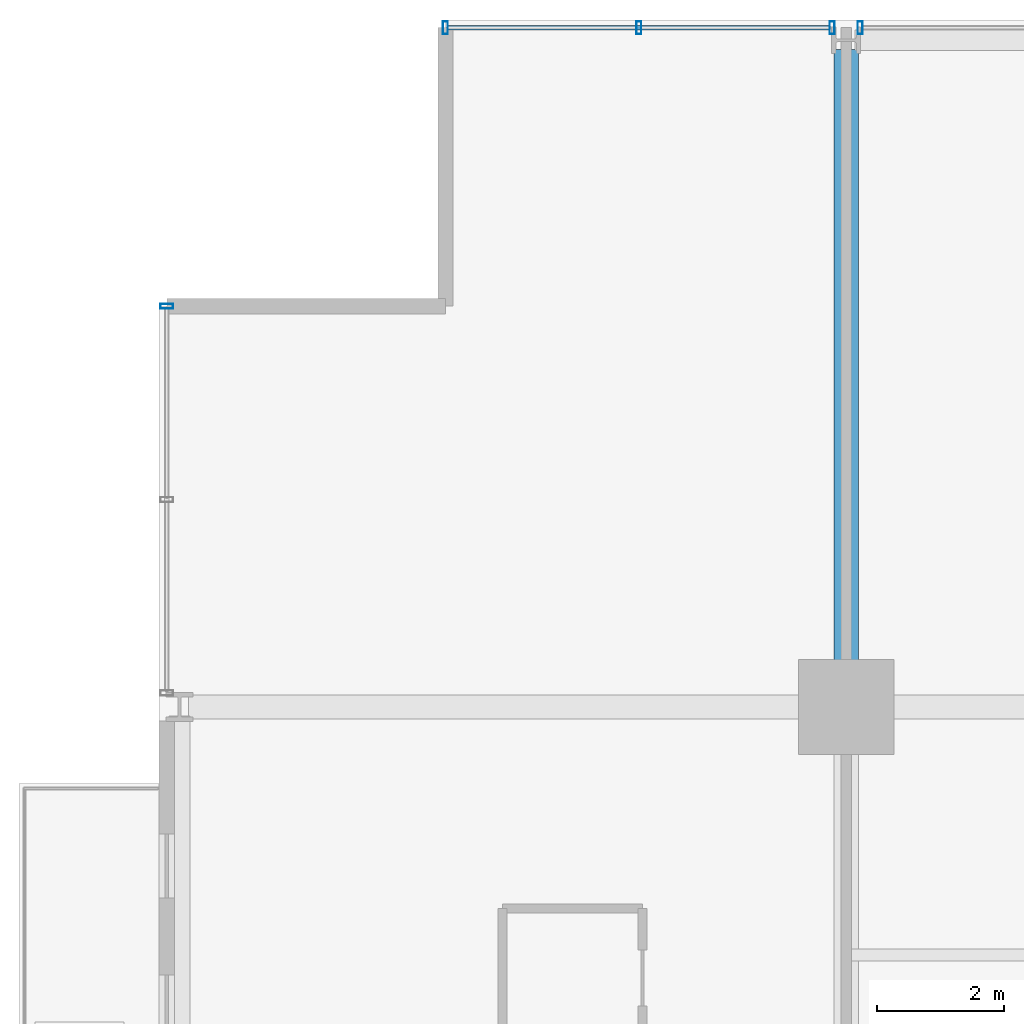
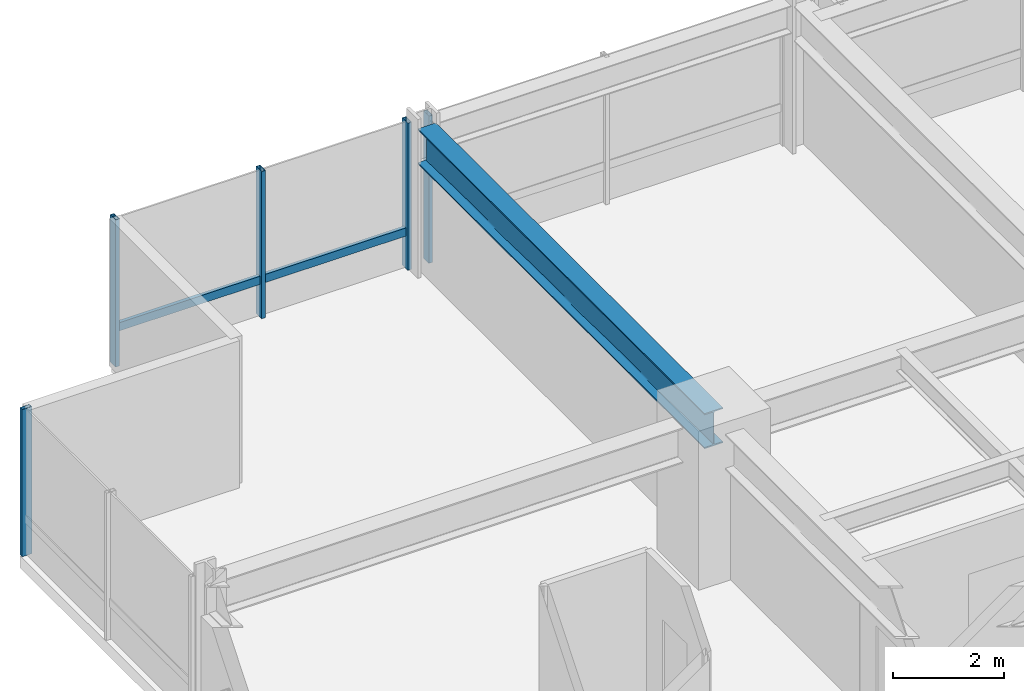
# One storey, part 20 of 34: 6 members, 1 beam, 3 elements without a shape of their own.
"""IFC4 building model written with IfcOpenShell, lengths in metres."""

from ifc_helpers import new_model, si_unit, direction, frame, origin, origin_2d, place, context, subcontext, project, spatial, hollow_rectangle, i_section, extrude, material, layer, layer_set, material_profile, profile_set, type_object, element, aggregate, save


model = new_model("IFC4")

# Units and contexts
model_context = context("Model", 3, precision=1e-05, world=origin(), true_north=direction((0.0, 1.0)))
body_context = subcontext(model_context, "Body", "Model", "MODEL_VIEW")
ifc_project = project(units=[si_unit("LENGTHUNIT", "METRE"), si_unit("AREAUNIT", "SQUARE_METRE"), si_unit("VOLUMEUNIT", "CUBIC_METRE"), si_unit("PLANEANGLEUNIT", "RADIAN"), si_unit("MASSUNIT", "GRAM", prefix="KILO")], contexts=[model_context])

# Site, building, storey
site_placement = place(None, origin())
site = spatial("IfcSite", under=ifc_project, at=site_placement, CompositionType="ELEMENT")
building_placement = place(site_placement, origin())
building = spatial("IfcBuilding", under=site, at=building_placement, Name="Drelvath Grand Hotel", CompositionType="ELEMENT")
storey_placement = place(building_placement, frame((0.0, 0.0, 102.300048828125)))
storey = spatial("IfcBuildingStorey", under=building, at=storey_placement, Name="L25", CompositionType="ELEMENT", Elevation=102.300048828125)

# Curtain wall, member
ifc_material_1 = material(Name="Champagne Bronze Anodised Aluminium Frame", Category="aluminium")
ifc_layer = layer(ifc_material_1, 0.199951171875)
ifc_layer_set = layer_set([ifc_layer], Name="Champagne Bronze Anodised Aluminium Frame")
curtain_wall_type = type_object("IfcCurtainWallType", Name="Stick Curtain Wall CW-03 Champagne Bronze Mid-Rise", PredefinedType="NOTDEFINED", material=ifc_layer_set)
curtain_wall_1_placement = place(storey_placement, origin())
curtain_wall_1 = element("IfcCurtainWall", 1, at=curtain_wall_1_placement, inside=storey, type_object=curtain_wall_type, Name="L25 CW-03 Curtain Wall CW03-L25-NW1", PredefinedType="NOTDEFINED")
ifc_material_profile_1 = material_profile(ifc_material_1, hollow_rectangle(XDim=0.074951171875, YDim=0.179931640625, WallThickness=0.0048828125, at=origin_2d()), Name="HSS180X75X5")
ifc_profile_set_1 = profile_set([ifc_material_profile_1], Name="Champagne Bronze Anodised Aluminium Frame")
member_type_1 = type_object("IfcMemberType", Name="Curtain Wall Horizontal Transom CW-03 HSS180X75X5", PredefinedType="USERDEFINED", material=ifc_profile_set_1)
member_1_placement = place(storey_placement, frame((-22.4599609375, 53.8798828125, 0.81005859375), z_axis=(1.0, 0.0, 0.0), x_axis=(0.0, 1.0, 0.0)))
member_1 = element("IfcMember", 2, at=member_1_placement, type_object=member_type_1, Name="CW03-L25-NW1 Sill Transom", ObjectType="TRANSOM", PredefinedType="USERDEFINED", context=body_context, shape_type="SweptSolid", body=[
    extrude(hollow_rectangle(XDim=0.074951171875, YDim=0.179931640625, WallThickness=0.0048828125, at=origin_2d()), origin(), (0.0, 0.0, 1.0), 6.000244140625),
])

curtain_wall_2_placement = place(storey_placement, origin())
curtain_wall_2 = element("IfcCurtainWall", 3, at=curtain_wall_2_placement, inside=storey, type_object=curtain_wall_type, Name="L25 CW-03 Curtain Wall CW03-L25-WN3", PredefinedType="NOTDEFINED")
ifc_material_profile_2 = material_profile(ifc_material_1, hollow_rectangle(XDim=0.080078125, YDim=0.199951171875, WallThickness=0.0048828125, at=origin_2d()), Name="HSS200X80X5")
ifc_profile_set_2 = profile_set([ifc_material_profile_2], Name="Champagne Bronze Anodised Aluminium Frame")
member_type_2 = type_object("IfcMemberType", Name="Curtain Wall Vertical Mullion CW-03 HSS200X80X5", PredefinedType="MULLION", material=ifc_profile_set_2)
member_2_placement = place(storey_placement, frame((-26.8798828125, 49.5, 0.0), z_axis=(0.0, 0.0, 1.0), x_axis=(0.0, 1.0, 0.0)))
member_2 = element("IfcMember", 4, at=member_2_placement, type_object=member_type_2, Name="CW03-L25-WN3 Mullion 3", PredefinedType="MULLION", context=body_context, shape_type="SweptSolid", body=[
    extrude(hollow_rectangle(XDim=0.080078125, YDim=0.199951171875, WallThickness=0.0048828125, at=origin_2d()), origin(), (0.0, 0.0, 1.0), 3.239990234375),
])
aggregate(curtain_wall_2, [member_2])

# Member
member_3_placement = place(storey_placement, frame((-22.5, 53.8798828125, 0.0), z_axis=(0.0, 0.0, 1.0), x_axis=(1.0, 0.0, 0.0)))
member_3 = element("IfcMember", 5, at=member_3_placement, type_object=member_type_2, Name="CW03-L25-NW1 Mullion 1", PredefinedType="MULLION", context=body_context, shape_type="SweptSolid", body=[
    extrude(hollow_rectangle(XDim=0.080078125, YDim=0.199951171875, WallThickness=0.0048828125, at=origin_2d()), origin(), (0.0, 0.0, 1.0), 3.239990234375),
])

member_4_placement = place(storey_placement, frame((-19.459716796875, 53.8798828125, 0.0), z_axis=(0.0, 0.0, 1.0), x_axis=(1.0, 0.0, 0.0)))
member_4 = element("IfcMember", 6, at=member_4_placement, type_object=member_type_2, Name="CW03-L25-NW1 Mullion 2", PredefinedType="MULLION", context=body_context, shape_type="SweptSolid", body=[
    extrude(hollow_rectangle(XDim=0.080078125, YDim=0.199951171875, WallThickness=0.0048828125, at=origin_2d()), origin(), (0.0, 0.0, 1.0), 3.239990234375),
])

member_5_placement = place(storey_placement, frame((-16.419677734375, 53.8798828125, 0.0), z_axis=(0.0, 0.0, 1.0), x_axis=(1.0, 0.0, 0.0)))
member_5 = element("IfcMember", 7, at=member_5_placement, type_object=member_type_2, Name="CW03-L25-NW1 Mullion 3", PredefinedType="MULLION", context=body_context, shape_type="SweptSolid", body=[
    extrude(hollow_rectangle(XDim=0.080078125, YDim=0.199951171875, WallThickness=0.0048828125, at=origin_2d()), origin(), (0.0, 0.0, 1.0), 3.239990234375),
])

aggregate(curtain_wall_1, [member_3, member_4, member_5, member_1])

# Curtain wall, member
curtain_wall_3_placement = place(storey_placement, origin())
curtain_wall_3 = element("IfcCurtainWall", 8, at=curtain_wall_3_placement, inside=storey, type_object=curtain_wall_type, Name="L25 CW-03 Curtain Wall CW03-L25-NW2", PredefinedType="NOTDEFINED")
member_6_placement = place(storey_placement, frame((-15.98046875, 53.8798828125, 0.0), z_axis=(0.0, 0.0, 1.0), x_axis=(1.0, 0.0, 0.0)))
member_6 = element("IfcMember", 9, at=member_6_placement, type_object=member_type_2, Name="CW03-L25-NW2 Mullion 1", PredefinedType="MULLION", context=body_context, shape_type="SweptSolid", body=[
    extrude(hollow_rectangle(XDim=0.080078125, YDim=0.199951171875, WallThickness=0.0048828125, at=origin_2d()), origin(), (0.0, 0.0, 1.0), 3.239990234375),
])
aggregate(curtain_wall_3, [member_6])

# Beam
ifc_material_2 = material(Name="Steel ASTM A992 Gr 50", Category="steel")
ifc_material_profile_3 = material_profile(ifc_material_2, i_section(OverallWidth=0.380615234375, OverallDepth=0.773193359375, WebThickness=0.0166015625, FlangeThickness=0.027099609375, FilletRadius=0.02490234375, at=origin_2d()), Name="W30X173")
ifc_profile_set_3 = profile_set([ifc_material_profile_3], Name="Steel ASTM A992 Gr 50")
beam_type = type_object("IfcBeamType", Name="Primary Floor Girder W30X173", PredefinedType="BEAM", material=ifc_profile_set_3)
beam_placement = place(storey_placement, frame((-16.199951171875, 43.199951171875, 2.853271484375), z_axis=(0.0, 1.0, 0.0), x_axis=(-1.0, 0.0, 0.0)))
element("IfcBeam", 10, at=beam_placement, inside=storey, type_object=beam_type, Name="L25 North Grid Girder 3", PredefinedType="BEAM", context=body_context, shape_type="SweptSolid", body=[
    extrude(i_section(OverallWidth=0.380615234375, OverallDepth=0.773193359375, WebThickness=0.0166015625, FlangeThickness=0.027099609375, FilletRadius=0.02490234375, at=origin_2d()), origin(), (0.0, 0.0, 1.0), 10.340087890625),
])

save(model, "model.ifc")
